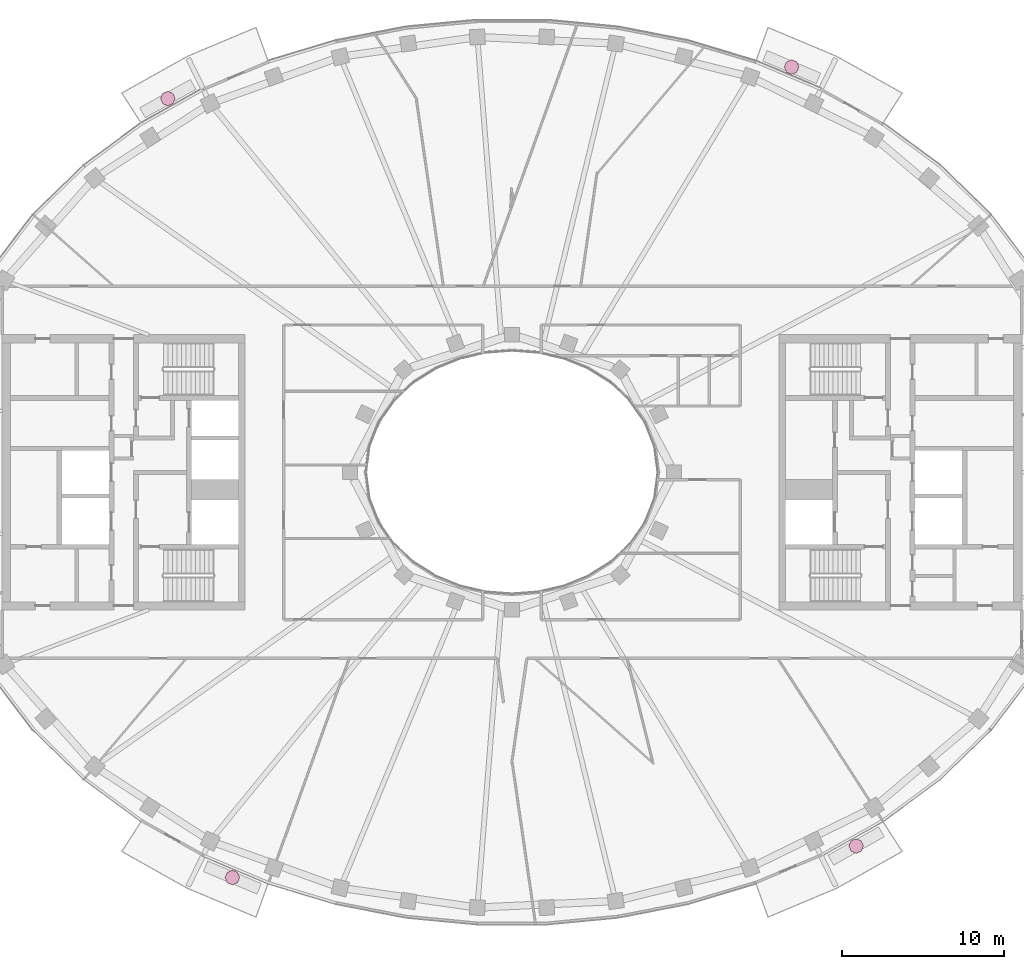
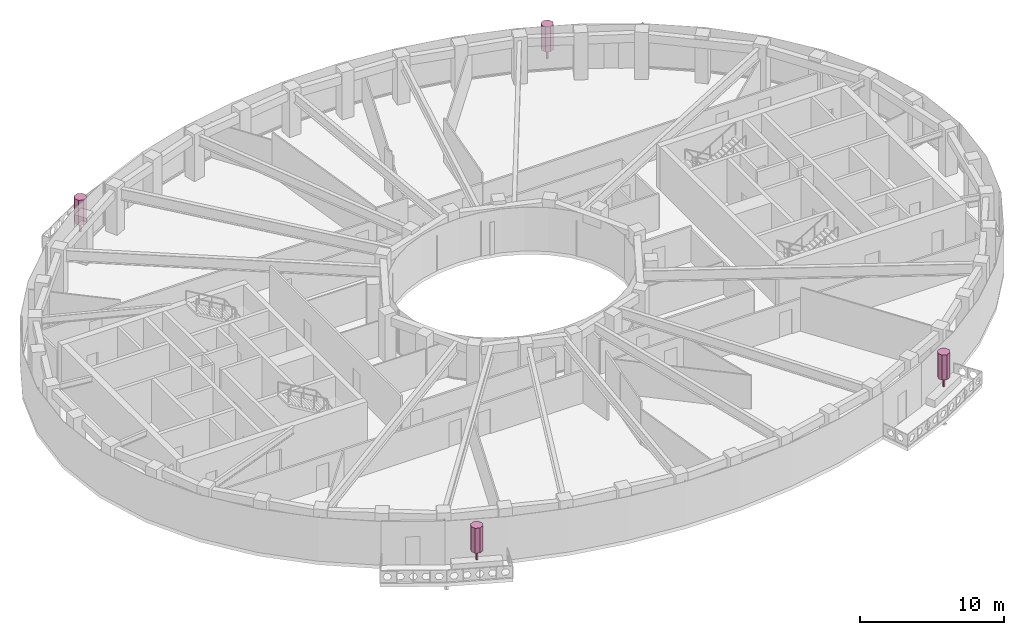
# One storey, part 15 of 15: 4 furnishings.
"""IFC4 building model written with IfcOpenShell, lengths in metres."""

from ifc_helpers import new_model, si_unit, direction, frame, origin, origin_2d, place, context, subcontext, project, spatial, polyline, rectangle, outline, extrude, material, type_object, element, save


model = new_model("IFC4")

# Units and contexts
model_context = context("Model", 3, precision=1e-05, world=origin(), true_north=direction((0.0, 1.0)))
body_context = subcontext(model_context, "Body", "Model", "MODEL_VIEW")
ifc_project = project(units=[si_unit("LENGTHUNIT", "METRE"), si_unit("AREAUNIT", "SQUARE_METRE"), si_unit("VOLUMEUNIT", "CUBIC_METRE"), si_unit("PLANEANGLEUNIT", "RADIAN"), si_unit("MASSUNIT", "GRAM", prefix="KILO")], contexts=[model_context])

# Site, building, storey
site_placement = place(None, origin())
site = spatial("IfcSite", under=ifc_project, at=site_placement, CompositionType="ELEMENT")
building_placement = place(site_placement, origin())
building = spatial("IfcBuilding", under=site, at=building_placement, Name="Noorbagh Ring Tower", CompositionType="ELEMENT")
storey_placement = place(building_placement, frame((0.0, 0.0, 295.0)))
storey = spatial("IfcBuildingStorey", under=building, at=storey_placement, Name="L63", CompositionType="ELEMENT", Elevation=295.0)

# Furnishings
ifc_material = material(Name="Planting foliage green")
furnishing_element_type = type_object("IfcFurnishingElementType", Name="ENV-TREE", material=ifc_material)
for number, where, z_axis, x_axis, name in (
    (1, (17.280517578125, 25.041259765625, 0.60009765625), (0.0, 0.0, 1.0), (1.0, 0.0, 0.0), "Tree BN02"),
    (2, (-21.26513671875, 23.093017578125, 0.60009765625), (0.0, 0.0, 1.0), (1.0, 0.0, 0.0), "Tree BN05"),
    (3, (-17.280517578125, -25.041259765625, 0.60009765625), (0.0, 0.0, 1.0), (1.0, 0.0, 0.0), "Tree BS02"),
    (4, (21.26513671875, -23.093017578125, 0.60009765625), (0.0, 0.0, 1.0), (1.0, 0.0, 0.0), "Tree BS05"),
):
    element("IfcFurnishingElement", number, at=place(storey_placement, frame(where, z_axis=z_axis, x_axis=x_axis)), inside=storey, type_object=furnishing_element_type, Name=name, context=body_context, shape_type="SweptSolid", body=[
        extrude(rectangle(XDim=0.1201171875, YDim=0.1201171875, at=origin_2d()), origin(), (0.0, 0.0, 1.0), 0.825927734375),
        extrude(outline(polyline([(0.449951171875, 0.0), (0.318115234375, 0.318115234375), (0.0, 0.449951171875), (-0.318115234375, 0.318115234375), (-0.449951171875, 0.0), (-0.318115234375, -0.318115234375), (0.0, -0.449951171875), (0.318115234375, -0.318115234375), (0.449951171875, 0.0)])), frame((0.0, 0.0, 0.825927734375)), (0.0, 0.0, 1.0), 2.1240234375),
    ])

save(model, "model.ifc")
